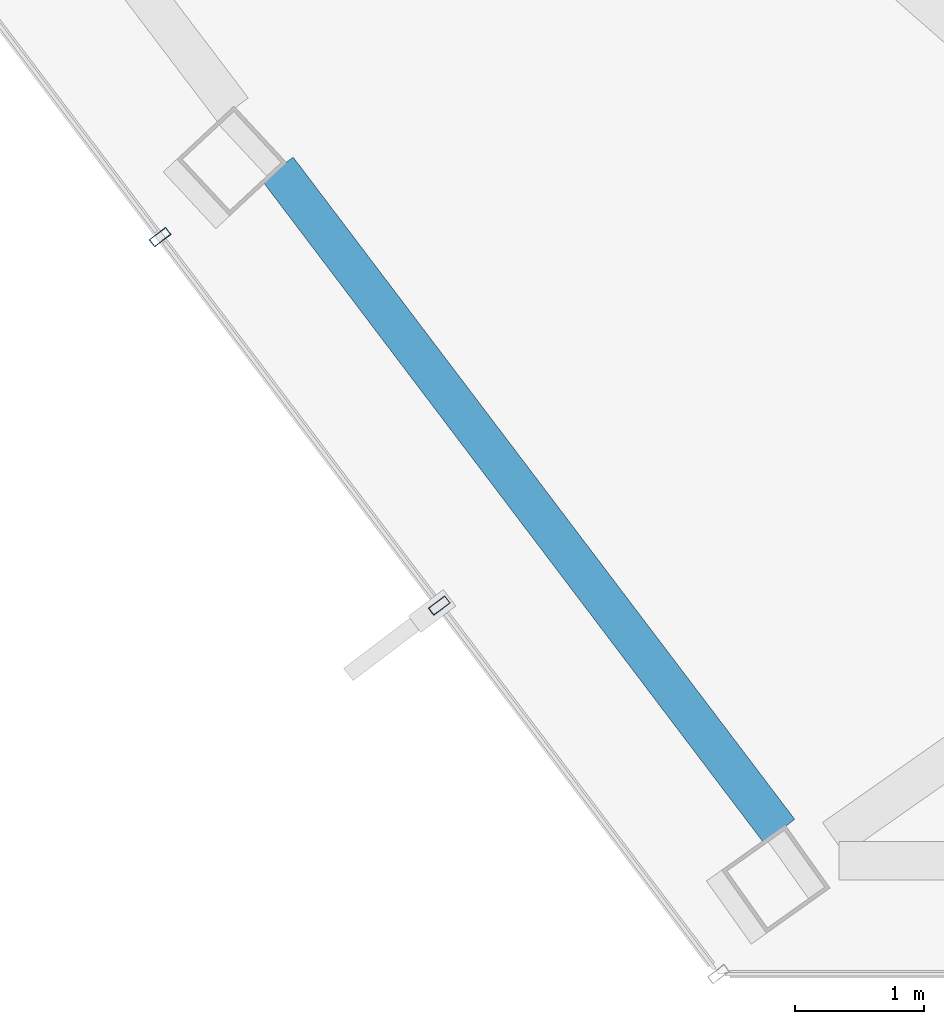
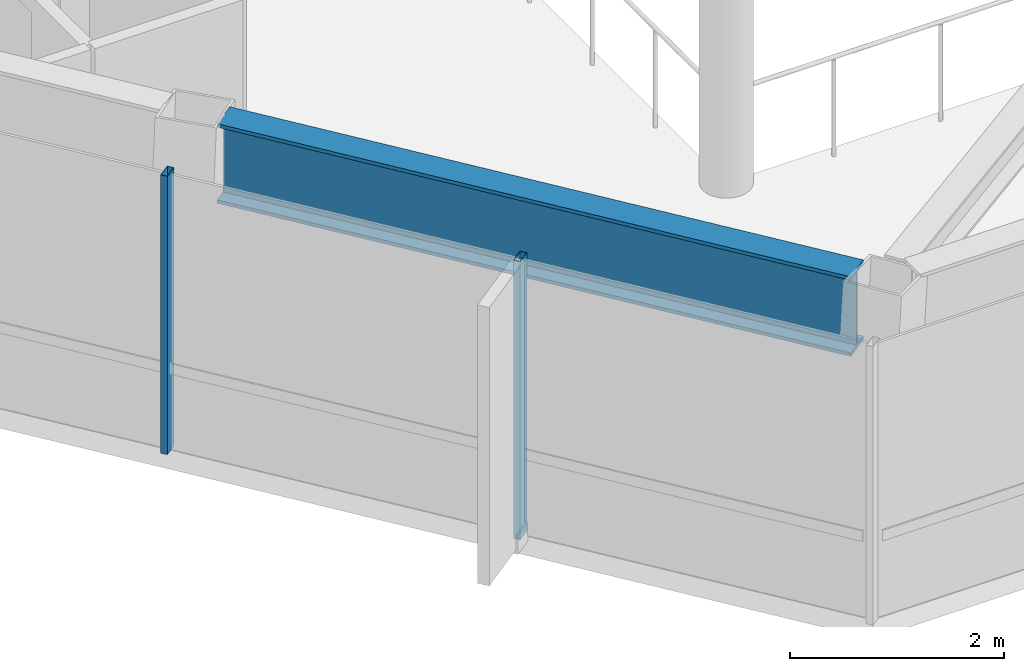
# One storey, part 2 of 27: 2 members, 1 beam, 1 element without a shape of its own.
"""IFC4 building model written with IfcOpenShell, lengths in metres."""

from ifc_helpers import new_model, si_unit, direction, frame, origin, origin_2d, place, context, subcontext, project, spatial, hollow_rectangle, i_section, extrude, material, layer, layer_set, material_profile, profile_set, type_object, element, aggregate, save


model = new_model("IFC4")

# Units and contexts
model_context = context("Model", 3, precision=1e-05, world=origin(), true_north=direction((0.0, 1.0)))
body_context = subcontext(model_context, "Body", "Model", "MODEL_VIEW")
ifc_project = project(units=[si_unit("LENGTHUNIT", "METRE"), si_unit("AREAUNIT", "SQUARE_METRE"), si_unit("VOLUMEUNIT", "CUBIC_METRE"), si_unit("PLANEANGLEUNIT", "RADIAN"), si_unit("MASSUNIT", "GRAM", prefix="KILO")], contexts=[model_context])

# Site, building, storey
site_placement = place(None, origin())
site = spatial("IfcSite", under=ifc_project, at=site_placement, CompositionType="ELEMENT")
building_placement = place(site_placement, origin())
building = spatial("IfcBuilding", under=site, at=building_placement, Name="Zarrinselat Tower", CompositionType="ELEMENT")
storey_placement = place(building_placement, frame((0.0, 0.0, 235.9599609375)))
storey = spatial("IfcBuildingStorey", under=building, at=storey_placement, Name="L59", CompositionType="ELEMENT", Elevation=235.9599609375)

# Beam
ifc_material_1 = material(Name="Steel S460M", Category="steel")
ifc_material_profile_1 = material_profile(ifc_material_1, i_section(OverallWidth=0.302001953125, OverallDepth=0.909912109375, WebThickness=0.02099609375, FlangeThickness=0.0400390625, at=origin_2d()), Name="HEM 900")
ifc_profile_set_1 = profile_set([ifc_material_profile_1], Name="Steel S460M")
beam_type = type_object("IfcBeamType", Name="BM-HEM900", PredefinedType="BEAM", material=ifc_profile_set_1)
beam_placement = place(storey_placement, frame((29.203369140625, 24.573974609375, 2.72509765625), z_axis=(0.603846005737, -0.797100998215, 0.0), x_axis=(0.797100998215, 0.603846005737, 0.0)))
element("IfcBeam", 1, at=beam_placement, inside=storey, type_object=beam_type, Name="L59 Perimeter Spandrel Girder SP09", PredefinedType="BEAM", context=body_context, shape_type="SweptSolid", body=[
    extrude(i_section(OverallWidth=0.302001953125, OverallDepth=0.909912109375, WebThickness=0.02099609375, FlangeThickness=0.0400390625, at=origin_2d()), origin(), (0.0, 0.0, 1.0), 6.437744140625),
])

# Curtain wall, members
ifc_material_2 = material(Name="Extruded Aluminium Alloy EN AW-6063 T6", Category="aluminium")
ifc_layer = layer(ifc_material_2, 0.169921875)
ifc_layer_set = layer_set([ifc_layer], Name="Extruded Aluminium Alloy EN AW-6063 T6")
curtain_wall_type = type_object("IfcCurtainWallType", Name="CWS-RES", PredefinedType="NOTDEFINED", material=ifc_layer_set)
curtain_wall_placement = place(storey_placement, origin())
curtain_wall = element("IfcCurtainWall", 2, at=curtain_wall_placement, inside=storey, type_object=curtain_wall_type, Name="L59 Unitised Curtain Wall CW-L59-E03", PredefinedType="NOTDEFINED")
ifc_material_3 = material(Name="Extruded Aluminium Alloy EN AW-6063 T6", Category="aluminium")
ifc_material_profile_2 = material_profile(ifc_material_3, hollow_rectangle(XDim=0.070068359375, YDim=0.159912109375, WallThickness=0.00390625, at=origin_2d()), Name="RHS 160x70x4")
ifc_profile_set_2 = profile_set([ifc_material_profile_2], Name="Extruded Aluminium Alloy EN AW-6063 T6")
member_type = type_object("IfcMemberType", Name="MEM-CW-MUL2", PredefinedType="MULLION", material=ifc_profile_set_2)
member_1_placement = place(storey_placement, frame((28.292724609375, 24.0458984375, 0.0), z_axis=(0.0, 0.0, 1.0), x_axis=(0.603857419315, -0.7970923517, 0.0)))
member_1 = element("IfcMember", 3, at=member_1_placement, type_object=member_type, Name="CW-L59-E03 Mullion 6", PredefinedType="MULLION", context=body_context, shape_type="SweptSolid", body=[
    extrude(hollow_rectangle(XDim=0.070068359375, YDim=0.159912109375, WallThickness=0.00390625, at=origin_2d()), origin(), (0.0, 0.0, 1.0), 3.179931640625),
])
member_2_placement = place(storey_placement, frame((30.456298828125, 21.18994140625, 0.0), z_axis=(0.0, 0.0, 1.0), x_axis=(0.603857419315, -0.7970923517, 0.0)))
member_2 = element("IfcMember", 4, at=member_2_placement, type_object=member_type, Name="CW-L59-E03 Mullion 7", PredefinedType="MULLION", context=body_context, shape_type="SweptSolid", body=[
    extrude(hollow_rectangle(XDim=0.070068359375, YDim=0.159912109375, WallThickness=0.00390625, at=origin_2d()), origin(), (0.0, 0.0, 1.0), 3.179931640625),
])
aggregate(curtain_wall, [member_1, member_2])

save(model, "model.ifc")
